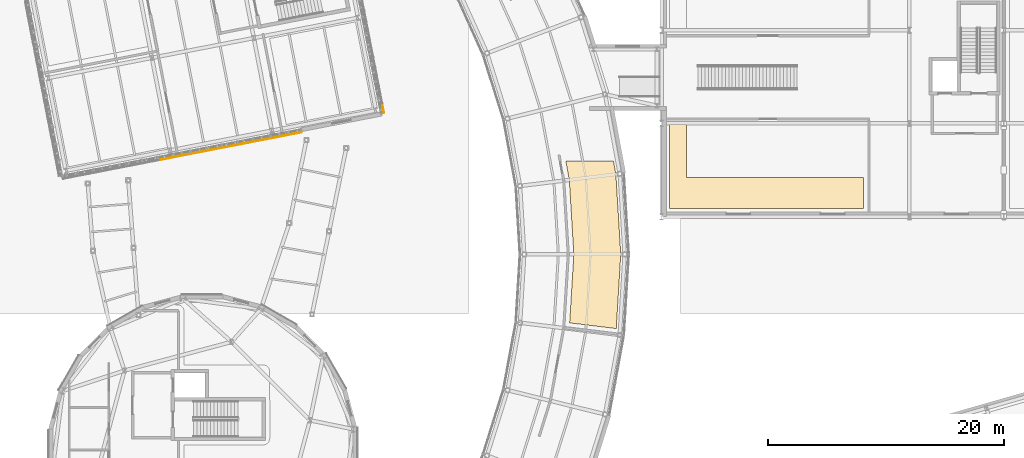
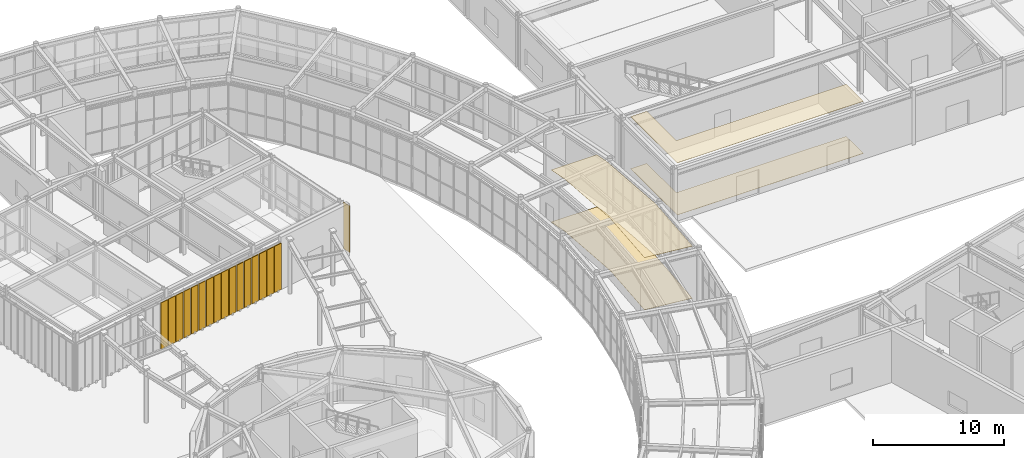
# One storey, part 90 of 97: 17 shading devices, 4 coverings.
"""IFC4 building model written with IfcOpenShell, lengths in metres."""

from ifc_helpers import new_model, si_unit, direction, frame, origin, origin_2d, place, context, subcontext, project, spatial, polyline, rectangle, outline, extrude, material, layer, layer_set, type_object, element, save


model = new_model("IFC4")

# Units and contexts
model_context = context("Model", 3, precision=1e-05, world=origin(), true_north=direction((0.0, 1.0)))
body_context = subcontext(model_context, "Body", "Model", "MODEL_VIEW")
ifc_project = project(units=[si_unit("LENGTHUNIT", "METRE"), si_unit("AREAUNIT", "SQUARE_METRE"), si_unit("VOLUMEUNIT", "CUBIC_METRE"), si_unit("PLANEANGLEUNIT", "RADIAN"), si_unit("MASSUNIT", "GRAM", prefix="KILO")], contexts=[model_context])

# Site, building, storey
site_placement = place(None, origin())
site = spatial("IfcSite", under=ifc_project, at=site_placement, CompositionType="ELEMENT")
building_placement = place(site_placement, origin())
building = spatial("IfcBuilding", under=site, at=building_placement, Name="Varnklinge Art Gallery", CompositionType="ELEMENT")
storey_placement = place(building_placement, origin())
storey = spatial("IfcBuildingStorey", under=building, at=storey_placement, Name="L00", CompositionType="ELEMENT", Elevation=0.0)

# Coverings
ifc_material_1 = material(Name="Acoustic Mineral Tile", Category="mineral")
ifc_layer_1 = layer(ifc_material_1, 0.02490234375)
ifc_layer_set_1 = layer_set([ifc_layer_1], Name="Acoustic Mineral Tile")
covering_type_1 = type_object("IfcCoveringType", Name="CLG-AC", PredefinedType="CEILING", material=ifc_layer_set_1)
covering_1_placement = place(storey_placement, frame((0.0, 0.0, 4.85498046875)))
element("IfcCovering", 1, at=covering_1_placement, inside=storey, type_object=covering_type_1, Name="L00 Acoustic Mineral Ceiling 001", PredefinedType="CEILING", context=body_context, shape_type="SweptSolid", body=[
    extrude(outline(polyline([(115.080078125, 58.8798828125), (131.5, 58.8798828125), (131.5, 61.5), (116.5, 61.5), (116.5, 66.0), (115.080078125, 66.0), (115.080078125, 58.8798828125)])), origin(), (0.0, 0.0, 1.0), 0.02490234375),
])
covering_2_placement = place(storey_placement, frame((0.0, 0.0, 4.85498046875)))
element("IfcCovering", 2, at=covering_2_placement, inside=storey, type_object=covering_type_1, Name="L00 Acoustic Mineral Ceiling 005", PredefinedType="CEILING", context=body_context, shape_type="SweptSolid", body=[
    extrude(outline(polyline([(106.565185546875, 61.279296875), (106.946044921875, 55.030517578125), (106.946044921875, 54.969482421875), (106.59375, 49.190185546875), (110.543701171875, 48.706787109375), (110.92724609375, 55.0), (110.51318359375, 61.793212890625), (110.30859375, 62.89990234375), (106.26953125, 62.89990234375), (106.557861328125, 61.33984375), (106.565185546875, 61.279296875)])), origin(), (0.0, 0.0, 1.0), 0.02490234375),
])
ifc_material_2 = material(Name="Polished Terrazzo Flooring", Category="stone")
ifc_layer_2 = layer(ifc_material_2, 0.02001953125)
ifc_layer_set_2 = layer_set([ifc_layer_2], Name="Polished Terrazzo Flooring")
covering_type_2 = type_object("IfcCoveringType", Name="FLR-STN", PredefinedType="FLOORING", material=ifc_layer_set_2)
covering_3_placement = place(storey_placement, origin())
element("IfcCovering", 3, at=covering_3_placement, inside=storey, type_object=covering_type_2, Name="L00 Gallery Terrazzo Flooring 001", PredefinedType="FLOORING", context=body_context, shape_type="SweptSolid", body=[
    extrude(outline(polyline([(115.080078125, 58.8798828125), (131.5, 58.8798828125), (131.5, 61.5), (116.5, 61.5), (116.5, 66.0), (115.080078125, 66.0), (115.080078125, 58.8798828125)])), origin(), (0.0, 0.0, 1.0), 0.02001953125),
])
covering_4_placement = place(storey_placement, origin())
element("IfcCovering", 4, at=covering_4_placement, inside=storey, type_object=covering_type_2, Name="L00 Gallery Terrazzo Flooring 005", PredefinedType="FLOORING", context=body_context, shape_type="SweptSolid", body=[
    extrude(outline(polyline([(106.565185546875, 61.279296875), (106.946044921875, 55.030517578125), (106.946044921875, 54.969482421875), (106.59375, 49.190185546875), (110.543701171875, 48.706787109375), (110.92724609375, 55.0), (110.51318359375, 61.793212890625), (110.30859375, 62.89990234375), (106.26953125, 62.89990234375), (106.557861328125, 61.33984375), (106.565185546875, 61.279296875)])), origin(), (0.0, 0.0, 1.0), 0.02001953125),
])

# Shading devices
ifc_material_3 = material(Name="Perforated Aluminium-Precast Lattice", Category="concrete")
ifc_layer_3 = layer(ifc_material_3, 0.06005859375)
ifc_layer_set_3 = layer_set([ifc_layer_3], Name="Perforated Aluminium-Precast Lattice")
shading_device_type = type_object("IfcShadingDeviceType", Name="SHD-LAT", PredefinedType="USERDEFINED", material=ifc_layer_set_3)
for number, where, z_axis, x_axis, name in (
    (5, (72.2529296875, 63.08740234375, 0.099853515625), (0.0, 0.0, 1.0), (0.981627183448, 0.190808995377, 0.0), "L00 Perforated Lattice Screen 1.2.3"),
    (6, (73.005615234375, 63.23388671875, 0.099853515625), (0.0, 0.0, 1.0), (0.981627183448, 0.190808995377, 0.0), "L00 Perforated Lattice Screen 1.2.4"),
    (7, (73.75830078125, 63.380126953125, 0.099853515625), (0.0, 0.0, 1.0), (0.981627183448, 0.190808995377, 0.0), "L00 Perforated Lattice Screen 1.2.5"),
    (8, (74.5107421875, 63.5263671875, 0.099853515625), (0.0, 0.0, 1.0), (0.981627183448, 0.190808995377, 0.0), "L00 Perforated Lattice Screen 1.2.6"),
    (9, (75.26318359375, 63.672607421875, 0.099853515625), (0.0, 0.0, 1.0), (0.981627183448, 0.190808995377, 0.0), "L00 Perforated Lattice Screen 1.2.7"),
    (10, (76.015869140625, 63.819091796875, 0.099853515625), (0.0, 0.0, 1.0), (0.981627183448, 0.190808995377, 0.0), "L00 Perforated Lattice Screen 1.2.8"),
    (11, (76.7685546875, 63.965087890625, 0.099853515625), (0.0, 0.0, 1.0), (0.981627183448, 0.190808995377, 0.0), "L00 Perforated Lattice Screen 1.2.9"),
    (12, (77.52099609375, 64.111572265625, 0.099853515625), (0.0, 0.0, 1.0), (0.981627183448, 0.190808995377, 0.0), "L00 Perforated Lattice Screen 1.3.1"),
    (13, (78.273681640625, 64.2578125, 0.099853515625), (0.0, 0.0, 1.0), (0.981627183448, 0.190808995377, 0.0), "L00 Perforated Lattice Screen 1.3.2"),
    (14, (79.026123046875, 64.404052734375, 0.099853515625), (0.0, 0.0, 1.0), (0.981627183448, 0.190808995377, 0.0), "L00 Perforated Lattice Screen 1.3.3"),
    (15, (79.77880859375, 64.55029296875, 0.099853515625), (0.0, 0.0, 1.0), (0.981627183448, 0.190808995377, 0.0), "L00 Perforated Lattice Screen 1.3.4"),
    (16, (80.531494140625, 64.69677734375, 0.099853515625), (0.0, 0.0, 1.0), (0.981627183448, 0.190808995377, 0.0), "L00 Perforated Lattice Screen 1.3.5"),
    (17, (81.283935546875, 64.843017578125, 0.099853515625), (0.0, 0.0, 1.0), (0.981627183448, 0.190808995377, 0.0), "L00 Perforated Lattice Screen 1.3.6"),
    (18, (82.03662109375, 64.9892578125, 0.099853515625), (0.0, 0.0, 1.0), (0.981627183448, 0.190808995377, 0.0), "L00 Perforated Lattice Screen 1.3.7"),
    (19, (82.789306640625, 65.135498046875, 0.099853515625), (0.0, 0.0, 1.0), (0.981627183448, 0.190808995377, 0.0), "L00 Perforated Lattice Screen 1.3.8"),
    (20, (83.541748046875, 65.28173828125, 0.099853515625), (0.0, 0.0, 1.0), (0.981627183448, 0.190808995377, 0.0), "L00 Perforated Lattice Screen 1.3.9"),
    (21, (90.788818359375, 67.322021484375, 0.099853515625), (0.0, 0.0, 1.0), (-0.190808995377, 0.981627183448, 0.0), "L00 Perforated Lattice Screen 2.1.1"),
):
    element("IfcShadingDevice", number, at=place(storey_placement, frame(where, z_axis=z_axis, x_axis=x_axis)), inside=storey, type_object=shading_device_type, Name=name, ObjectType="LATTICE SCREEN", PredefinedType="USERDEFINED", context=body_context, shape_type="SweptSolid", body=[
        extrude(rectangle(XDim=0.679931640625, YDim=0.06005859375, at=origin_2d()), origin(), (0.0, 0.0, 1.0), 4.330078125),
    ])

save(model, "model.ifc")
